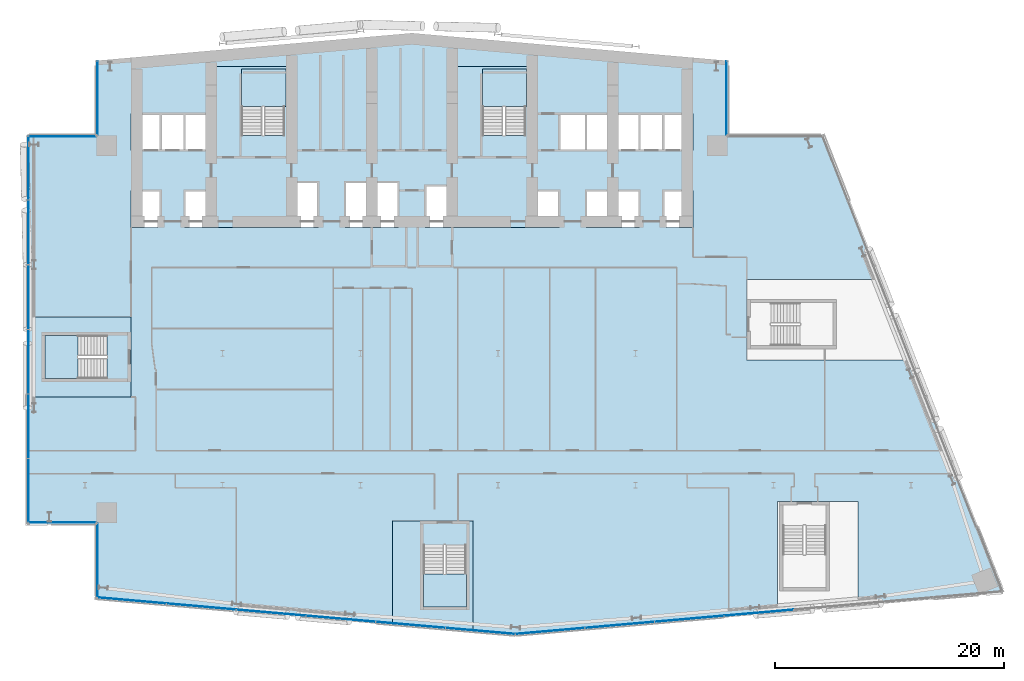
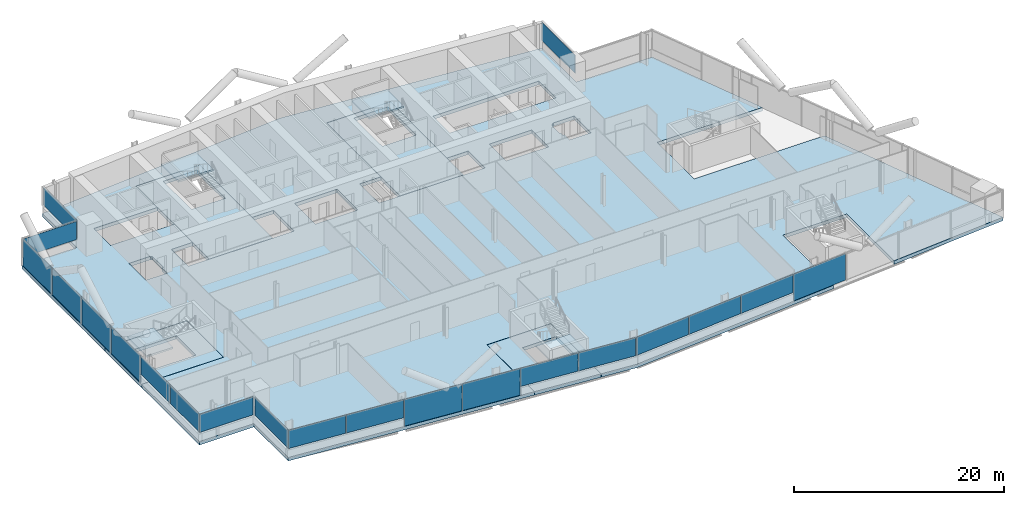
# One storey, part 12 of 27: 21 plates, 9 slabs, 12 elements without a shape of their own.
"""IFC4 building model written with IfcOpenShell, lengths in metres."""

from ifc_helpers import new_model, si_unit, direction, frame, origin, origin_2d, place, context, subcontext, project, spatial, polyline, rectangle, outline, extrude, material, layer, layer_set, type_object, element, aggregate, save


model = new_model("IFC4")

# Units and contexts
model_context = context("Model", 3, precision=1e-05, world=origin(), true_north=direction((0.0, 1.0)))
body_context = subcontext(model_context, "Body", "Model", "MODEL_VIEW")
ifc_project = project(units=[si_unit("LENGTHUNIT", "METRE"), si_unit("AREAUNIT", "SQUARE_METRE"), si_unit("VOLUMEUNIT", "CUBIC_METRE"), si_unit("PLANEANGLEUNIT", "RADIAN"), si_unit("MASSUNIT", "GRAM", prefix="KILO")], contexts=[model_context])

# Site, building, storey
site_placement = place(None, origin())
site = spatial("IfcSite", under=ifc_project, at=site_placement, CompositionType="ELEMENT")
building_placement = place(site_placement, origin())
building = spatial("IfcBuilding", under=site, at=building_placement, Name="Wharfspan Tower", CompositionType="ELEMENT")
storey_placement = place(building_placement, frame((0.0, 0.0, 139.899902)))
storey = spatial("IfcBuildingStorey", under=building, at=storey_placement, Name="L33", CompositionType="ELEMENT", Elevation=139.899902)

# Curtain wall, plates
ifc_material_1 = material(Name="Aluminium 6063-T6", Category="aluminium")
curtain_wall_type_1 = type_object("IfcCurtainWallType", Name="CURTAIN WALL FACETED FRONT", PredefinedType="NOTDEFINED", material=ifc_material_1)
curtain_wall_1_placement = place(storey_placement, origin())
curtain_wall_1 = element("IfcCurtainWall", 1, at=curtain_wall_1_placement, inside=storey, type_object=curtain_wall_type_1, Name="Curtain wall S1", PredefinedType="NOTDEFINED")
ifc_material_2 = material(Name="Glass clear low-iron double glazing", Category="glass")
ifc_layer_1 = layer(ifc_material_2, 0.040039)
ifc_layer_set_1 = layer_set([ifc_layer_1], Name="Glass clear low-iron double glazing")
plate_type_1 = type_object("IfcPlateType", Name="GLASS PANEL FACETED FRONT 40", PredefinedType="CURTAIN_PANEL", material=ifc_layer_set_1)
plate_1_placement = place(storey_placement, frame((16.061768, 1.467529, 1.0), z_axis=(0.0, 0.0, 1.0), x_axis=(0.996198, -0.087156, 0.0)))
plate_1 = element("IfcPlate", 2, at=plate_1_placement, type_object=plate_type_1, Name="Curtain wall S1 panel 1", PredefinedType="CURTAIN_PANEL", context=body_context, shape_type="SweptSolid", body=[
    extrude(rectangle(XDim=6.016602, YDim=0.040039, at=origin_2d()), origin(), (0.0, 0.0, 1.0), 2.120117),
])
plate_2_placement = place(storey_placement, frame((22.130127, 0.936523, 1.0), z_axis=(0.0, 0.0, 1.0), x_axis=(0.996198, -0.087156, 0.0)))
plate_2 = element("IfcPlate", 3, at=plate_2_placement, type_object=plate_type_1, Name="Curtain wall S1 panel 2", PredefinedType="CURTAIN_PANEL", context=body_context, shape_type="SweptSolid", body=[
    extrude(rectangle(XDim=6.046631, YDim=0.040039, at=origin_2d()), origin(), (0.0, 0.0, 1.0), 2.120117),
])
plate_3_placement = place(storey_placement, frame((40.380127, -0.660156, 1.0), z_axis=(0.0, 0.0, 1.0), x_axis=(0.996198, -0.087156, 0.0)))
plate_3 = element("IfcPlate", 4, at=plate_3_placement, type_object=plate_type_1, Name="Curtain wall S1 panel 5", PredefinedType="CURTAIN_PANEL", context=body_context, shape_type="SweptSolid", body=[
    extrude(rectangle(XDim=6.046631, YDim=0.040039, at=origin_2d()), origin(), (0.0, 0.0, 1.0), 2.120117),
])
plate_4_placement = place(storey_placement, frame((46.44873, -1.191162, 1.0), z_axis=(0.0, 0.0, 1.0), x_axis=(0.996198, -0.087156, 0.0)))
plate_4 = element("IfcPlate", 5, at=plate_4_placement, type_object=plate_type_1, Name="Curtain wall S1 panel 6", PredefinedType="CURTAIN_PANEL", context=body_context, shape_type="SweptSolid", body=[
    extrude(rectangle(XDim=6.016602, YDim=0.040039, at=origin_2d()), origin(), (0.0, 0.0, 1.0), 2.120117),
])

curtain_wall_2_placement = place(storey_placement, origin())
curtain_wall_2 = element("IfcCurtainWall", 6, at=curtain_wall_2_placement, inside=storey, type_object=curtain_wall_type_1, Name="Curtain wall S2", PredefinedType="NOTDEFINED")
plate_5_placement = place(storey_placement, frame((52.54541, -1.19165, 1.0), z_axis=(0.0, 0.0, 1.0), x_axis=(0.996198, 0.087156, 0.0)))
plate_5 = element("IfcPlate", 7, at=plate_5_placement, type_object=plate_type_1, Name="Curtain wall S2 panel 1", PredefinedType="CURTAIN_PANEL", context=body_context, shape_type="SweptSolid", body=[
    extrude(rectangle(XDim=6.004639, YDim=0.040039, at=origin_2d()), origin(), (0.0, 0.0, 1.0), 2.120117),
])
plate_6_placement = place(storey_placement, frame((58.601807, -0.661621, 1.0), z_axis=(0.0, 0.0, 1.0), x_axis=(0.996198, 0.087156, 0.0)))
plate_6 = element("IfcPlate", 8, at=plate_6_placement, type_object=plate_type_1, Name="Curtain wall S2 panel 2", PredefinedType="CURTAIN_PANEL", context=body_context, shape_type="SweptSolid", body=[
    extrude(rectangle(XDim=6.034668, YDim=0.040039, at=origin_2d()), origin(), (0.0, 0.0, 1.0), 2.120117),
])
plate_7_placement = place(storey_placement, frame((64.67334, -0.130615, 1.0), z_axis=(0.0, 0.0, 1.0), x_axis=(0.996198, 0.087156, 0.0)))
plate_7 = element("IfcPlate", 9, at=plate_7_placement, type_object=plate_type_1, Name="Curtain wall S2 panel 3", PredefinedType="CURTAIN_PANEL", context=body_context, shape_type="SweptSolid", body=[
    extrude(rectangle(XDim=6.034668, YDim=0.040039, at=origin_2d()), origin(), (0.0, 0.0, 1.0), 2.120117),
])

# Curtain wall, plate
curtain_wall_type_2 = type_object("IfcCurtainWallType", Name="CURTAIN WALL PROW AND END", PredefinedType="NOTDEFINED", material=ifc_material_1)
curtain_wall_3_placement = place(storey_placement, origin())
curtain_wall_3 = element("IfcCurtainWall", 10, at=curtain_wall_3_placement, inside=storey, type_object=curtain_wall_type_2, Name="Curtain wall NRE-V", PredefinedType="NOTDEFINED")
ifc_layer_2 = layer(ifc_material_2, 0.040039)
ifc_layer_set_2 = layer_set([ifc_layer_2], Name="Glass clear low-iron double glazing")
plate_type_2 = type_object("IfcPlateType", Name="GLASS PANEL PROW AND END 40", PredefinedType="CURTAIN_PANEL", material=ifc_layer_set_2)
plate_8_placement = place(storey_placement, frame((67.919922, 45.262451, 1.0), z_axis=(0.0, 0.0, 1.0), x_axis=(0.0, 1.0, 0.0)))
plate_8 = element("IfcPlate", 11, at=plate_8_placement, type_object=plate_type_2, Name="Curtain wall NRE-V panel 1", PredefinedType="CURTAIN_PANEL", context=body_context, shape_type="SweptSolid", body=[
    extrude(rectangle(XDim=6.405029, YDim=0.040039, at=origin_2d()), origin(), (0.0, 0.0, 1.0), 2.120117),
])
aggregate(curtain_wall_3, [plate_8])

curtain_wall_4_placement = place(storey_placement, origin())
curtain_wall_4 = element("IfcCurtainWall", 12, at=curtain_wall_4_placement, inside=storey, type_object=curtain_wall_type_2, Name="Curtain wall NRW-V", PredefinedType="NOTDEFINED")
plate_9_placement = place(storey_placement, frame((13.080078, 45.262451, 1.0), z_axis=(0.0, 0.0, 1.0), x_axis=(0.0, -1.0, 0.0)))
plate_9 = element("IfcPlate", 13, at=plate_9_placement, type_object=plate_type_2, Name="Curtain wall NRW-V panel 1", PredefinedType="CURTAIN_PANEL", context=body_context, shape_type="SweptSolid", body=[
    extrude(rectangle(XDim=6.405029, YDim=0.040039, at=origin_2d()), origin(), (0.0, 0.0, 1.0), 2.120117),
])
aggregate(curtain_wall_4, [plate_9])

curtain_wall_5_placement = place(storey_placement, origin())
curtain_wall_5 = element("IfcCurtainWall", 14, at=curtain_wall_5_placement, inside=storey, type_object=curtain_wall_type_2, Name="Curtain wall NRW-H", PredefinedType="NOTDEFINED")
plate_10_placement = place(storey_placement, frame((10.0, 41.919922, 1.0), z_axis=(0.0, 0.0, 1.0), x_axis=(-1.0, 0.0, 0.0)))
plate_10 = element("IfcPlate", 15, at=plate_10_placement, type_object=plate_type_2, Name="Curtain wall NRW-H panel 1", PredefinedType="CURTAIN_PANEL", context=body_context, shape_type="SweptSolid", body=[
    extrude(rectangle(XDim=5.879883, YDim=0.040039, at=origin_2d()), origin(), (0.0, 0.0, 1.0), 2.120117),
])
aggregate(curtain_wall_5, [plate_10])

# Curtain wall, plates
curtain_wall_6_placement = place(storey_placement, origin())
curtain_wall_6 = element("IfcCurtainWall", 16, at=curtain_wall_6_placement, inside=storey, type_object=curtain_wall_type_2, Name="Curtain wall W", PredefinedType="NOTDEFINED")
plate_11_placement = place(storey_placement, frame((7.080078, 16.649902, 1.0), z_axis=(0.0, 0.0, 1.0), x_axis=(0.0, -1.0, 0.0)))
plate_11 = element("IfcPlate", 17, at=plate_11_placement, type_object=plate_type_2, Name="Curtain wall W panel 5", PredefinedType="CURTAIN_PANEL", context=body_context, shape_type="SweptSolid", body=[
    extrude(rectangle(XDim=5.573242, YDim=0.040039, at=origin_2d()), origin(), (0.0, 0.0, 1.0), 2.120117),
])
plate_12_placement = place(storey_placement, frame((7.080078, 11.031738, 1.0), z_axis=(0.0, 0.0, 1.0), x_axis=(0.0, -1.0, 0.0)))
plate_12 = element("IfcPlate", 18, at=plate_12_placement, type_object=plate_type_2, Name="Curtain wall W panel 6", PredefinedType="CURTAIN_PANEL", context=body_context, shape_type="SweptSolid", body=[
    extrude(rectangle(XDim=5.543213, YDim=0.040039, at=origin_2d()), origin(), (0.0, 0.0, 1.0), 2.120117),
])

# Curtain wall, plate
curtain_wall_7_placement = place(storey_placement, origin())
curtain_wall_7 = element("IfcCurtainWall", 19, at=curtain_wall_7_placement, inside=storey, type_object=curtain_wall_type_2, Name="Curtain wall NFW-H", PredefinedType="NOTDEFINED")
plate_13_placement = place(storey_placement, frame((10.0, 8.280029, 1.0), z_axis=(0.0, 0.0, 1.0), x_axis=(1.0, 0.0, 0.0)))
plate_13 = element("IfcPlate", 20, at=plate_13_placement, type_object=plate_type_2, Name="Curtain wall NFW-H panel 1", PredefinedType="CURTAIN_PANEL", context=body_context, shape_type="SweptSolid", body=[
    extrude(rectangle(XDim=5.879883, YDim=0.040039, at=origin_2d()), origin(), (0.0, 0.0, 1.0), 2.120117),
])
aggregate(curtain_wall_7, [plate_13])

curtain_wall_8_placement = place(storey_placement, origin())
curtain_wall_8 = element("IfcCurtainWall", 21, at=curtain_wall_8_placement, inside=storey, type_object=curtain_wall_type_2, Name="Curtain wall NFW-V", PredefinedType="NOTDEFINED")
plate_14_placement = place(storey_placement, frame((13.080078, 4.9375, 1.0), z_axis=(0.0, 0.0, 1.0), x_axis=(0.0, -1.0, 0.0)))
plate_14 = element("IfcPlate", 22, at=plate_14_placement, type_object=plate_type_2, Name="Curtain wall NFW-V panel 1", PredefinedType="CURTAIN_PANEL", context=body_context, shape_type="SweptSolid", body=[
    extrude(rectangle(XDim=6.405029, YDim=0.040039, at=origin_2d()), origin(), (0.0, 0.0, 1.0), 2.120117),
])
aggregate(curtain_wall_8, [plate_14])

# Plate
ifc_material_3 = material(Name="Aluminium composite opaque insulated panel", Category="aluminium")
ifc_layer_3 = layer(ifc_material_3, 0.040039)
ifc_layer_set_3 = layer_set([ifc_layer_3], Name="Aluminium composite opaque insulated panel")
plate_type_3 = type_object("IfcPlateType", Name="INFILL PANEL FACETED FRONT OPAQUE 40", PredefinedType="SHEET", material=ifc_layer_set_3)
plate_15_placement = place(storey_placement, frame((28.213623, 0.404297, 0.0), z_axis=(0.0, 0.0, 1.0), x_axis=(0.996198, -0.087156, 0.0)))
plate_15 = element("IfcPlate", 23, at=plate_15_placement, type_object=plate_type_3, Name="Curtain wall S1 panel 3", PredefinedType="SHEET", context=body_context, shape_type="SweptSolid", body=[
    extrude(rectangle(XDim=6.046631, YDim=0.040039, at=origin_2d()), origin(), (0.0, 0.0, 1.0), 3.120117),
])

plate_16_placement = place(storey_placement, frame((34.296875, -0.12793, 0.0), z_axis=(0.0, 0.0, 1.0), x_axis=(0.996198, -0.087156, 0.0)))
plate_16 = element("IfcPlate", 24, at=plate_16_placement, type_object=plate_type_3, Name="Curtain wall S1 panel 4", PredefinedType="SHEET", context=body_context, shape_type="SweptSolid", body=[
    extrude(rectangle(XDim=6.046631, YDim=0.040039, at=origin_2d()), origin(), (0.0, 0.0, 1.0), 3.120117),
])

aggregate(curtain_wall_1, [plate_1, plate_2, plate_15, plate_16, plate_3, plate_4])

plate_17_placement = place(storey_placement, frame((70.744873, 0.400635, 0.0), z_axis=(0.0, 0.0, 1.0), x_axis=(0.996198, 0.087156, 0.0)))
plate_17 = element("IfcPlate", 25, at=plate_17_placement, type_object=plate_type_3, Name="Curtain wall S2 panel 4", PredefinedType="SHEET", context=body_context, shape_type="SweptSolid", body=[
    extrude(rectangle(XDim=6.034668, YDim=0.040039, at=origin_2d()), origin(), (0.0, 0.0, 1.0), 3.120117),
])

aggregate(curtain_wall_2, [plate_5, plate_6, plate_7, plate_17])

ifc_layer_4 = layer(ifc_material_3, 0.040039)
ifc_layer_set_4 = layer_set([ifc_layer_4], Name="Aluminium composite opaque insulated panel")
plate_type_4 = type_object("IfcPlateType", Name="INFILL PANEL PROW AND END OPAQUE 40", PredefinedType="SHEET", material=ifc_layer_set_4)
plate_18_placement = place(storey_placement, frame((7.080078, 39.168213, 0.0), z_axis=(0.0, 0.0, 1.0), x_axis=(0.0, -1.0, 0.0)))
plate_18 = element("IfcPlate", 26, at=plate_18_placement, type_object=plate_type_4, Name="Curtain wall W panel 1", PredefinedType="SHEET", context=body_context, shape_type="SweptSolid", body=[
    extrude(rectangle(XDim=5.543213, YDim=0.040039, at=origin_2d()), origin(), (0.0, 0.0, 1.0), 3.120117),
])

plate_19_placement = place(storey_placement, frame((7.080078, 33.550049, 0.0), z_axis=(0.0, 0.0, 1.0), x_axis=(0.0, -1.0, 0.0)))
plate_19 = element("IfcPlate", 27, at=plate_19_placement, type_object=plate_type_4, Name="Curtain wall W panel 2", PredefinedType="SHEET", context=body_context, shape_type="SweptSolid", body=[
    extrude(rectangle(XDim=5.573242, YDim=0.040039, at=origin_2d()), origin(), (0.0, 0.0, 1.0), 3.120117),
])

plate_20_placement = place(storey_placement, frame((7.080078, 27.916748, 0.0), z_axis=(0.0, 0.0, 1.0), x_axis=(0.0, -1.0, 0.0)))
plate_20 = element("IfcPlate", 28, at=plate_20_placement, type_object=plate_type_4, Name="Curtain wall W panel 3", PredefinedType="SHEET", context=body_context, shape_type="SweptSolid", body=[
    extrude(rectangle(XDim=5.573242, YDim=0.040039, at=origin_2d()), origin(), (0.0, 0.0, 1.0), 3.120117),
])

plate_21_placement = place(storey_placement, frame((7.080078, 22.283447, 0.0), z_axis=(0.0, 0.0, 1.0), x_axis=(0.0, -1.0, 0.0)))
plate_21 = element("IfcPlate", 29, at=plate_21_placement, type_object=plate_type_4, Name="Curtain wall W panel 4", PredefinedType="SHEET", context=body_context, shape_type="SweptSolid", body=[
    extrude(rectangle(XDim=5.573242, YDim=0.040039, at=origin_2d()), origin(), (0.0, 0.0, 1.0), 3.120117),
])

aggregate(curtain_wall_6, [plate_18, plate_19, plate_20, plate_21, plate_11, plate_12])

# Slabs
ifc_material_4 = material(Name="Concrete C40/50", Category="concrete")
ifc_layer_5 = layer(ifc_material_4, 0.399902)
ifc_layer_set_5 = layer_set([ifc_layer_5], Name="Concrete C40/50")
slab_type_1 = type_object("IfcSlabType", Name="Post-tensioned flat slab 400", PredefinedType="FLOOR", material=ifc_layer_set_5)
slab_1_placement = place(storey_placement, frame((0.0, 0.0, -0.400146)))
element("IfcSlab", 30, at=slab_1_placement, inside=storey, type_object=slab_type_1, Name="Floor slab L33", PredefinedType="FLOOR", context=body_context, shape_type="SweptSolid", body=[
    extrude(outline(polyline([(38.800293, -0.582275), (38.800293, 8.427002), (45.820312, 8.427002), (45.820312, -1.196289), (49.5, -1.518311), (72.355957, 0.481445), (72.355957, 10.104736), (79.375977, 10.104736), (79.375977, 1.095459), (92.0, 2.199951), (84.04541, 22.439941), (69.68042, 22.439941), (69.68042, 29.459961), (81.286621, 29.459961), (76.358154, 42.0), (68.0, 42.0), (68.0, 48.524902), (40.5, 50.930908), (13.0, 48.524902), (13.0, 42.0), (7.0, 42.0), (7.0, 26.209961), (16.01001, 26.209961), (16.01001, 19.189941), (7.0, 19.189941), (7.0, 8.199951), (13.0, 8.199951), (13.0, 1.675049), (38.800293, -0.582275)]), holes=[polyline([(62.48999, 35.389893), (62.36499, 35.389893), (62.36499, 36.909912), (62.48999, 36.909912), (62.48999, 37.110107), (62.656738, 37.110107), (62.656738, 37.209961), (65.01001, 37.209961), (65.01001, 33.98999), (62.656738, 33.98999), (62.656738, 34.98999), (62.48999, 34.98999), (62.48999, 35.389893)]), polyline([(65.01001, 43.909912), (65.01001, 40.689941), (53.323242, 40.689941), (53.323242, 43.909912), (65.01001, 43.909912)]), polyline([(55.656738, 33.98999), (55.656738, 37.209961), (60.343262, 37.209961), (60.343262, 33.98999), (55.656738, 33.98999)]), polyline([(43.98999, 37.659912), (43.98999, 48.01001), (51.01001, 48.01001), (51.01001, 37.209961), (53.343262, 37.209961), (53.343262, 33.98999), (41.656738, 33.98999), (41.656738, 37.659912), (43.98999, 37.659912)]), polyline([(34.656738, 33.98999), (34.656738, 37.959961), (39.343262, 37.959961), (39.343262, 33.98999), (34.656738, 33.98999)]), polyline([(20.656738, 37.209961), (22.98999, 37.209961), (22.98999, 40.689941), (20.676758, 40.689941), (20.656738, 40.689941), (15.98999, 40.689941), (15.98999, 43.909912), (20.656738, 43.909912), (20.676758, 43.909912), (22.98999, 43.909912), (22.98999, 48.01001), (30.01001, 48.01001), (30.01001, 37.959961), (32.343262, 37.959961), (32.343262, 33.98999), (20.656738, 33.98999), (20.656738, 37.209961)]), polyline([(18.51001, 34.98999), (18.343262, 34.98999), (18.343262, 33.98999), (15.98999, 33.98999), (15.98999, 37.209961), (18.343262, 37.209961), (18.343262, 37.110107), (18.51001, 37.110107), (18.51001, 34.98999)])]), origin(), (0.0, 0.0, 1.0), 0.400146),
])
slab_2_placement = place(storey_placement, frame((0.0, 0.0, -0.400146)))
element("IfcSlab", 31, at=slab_2_placement, inside=storey, type_object=slab_type_1, Name="Core floor slab L33 part 1", PredefinedType="FLOOR", context=body_context, shape_type="SweptSolid", body=[
    extrude(outline(polyline([(16.0, 20.524902), (16.0, 24.875), (16.0, 26.199951), (7.0, 26.199951), (7.0, 19.199951), (16.0, 19.199951), (16.0, 20.524902)]), holes=[polyline([(13.9021, 20.824951), (13.9021, 20.824707), (13.9021, 20.824707), (13.901855, 20.824463), (13.901855, 20.824219), (13.901855, 20.824219), (13.901611, 20.823975), (13.901611, 20.82373), (13.901367, 20.823486), (13.901367, 20.823486), (13.901123, 20.823242), (13.900879, 20.823242), (13.900879, 20.823242), (13.900635, 20.822998), (13.900391, 20.822998), (13.900146, 20.822998), (13.899902, 20.822998), (8.5, 20.822998), (8.499756, 20.822998), (8.499512, 20.822998), (8.499512, 20.822998), (8.499268, 20.823242), (8.499023, 20.823242), (8.498779, 20.823242), (8.498779, 20.823486), (8.498535, 20.823486), (8.498535, 20.82373), (8.498291, 20.823975), (8.498291, 20.824219), (8.498291, 20.824219), (8.498047, 20.824463), (8.498047, 20.824707), (8.498047, 20.824707), (8.498047, 20.824951), (8.498047, 24.574951), (8.498047, 24.575195), (8.498047, 24.575439), (8.498047, 24.575684), (8.498291, 24.575684), (8.498291, 24.575928), (8.498291, 24.576172), (8.498535, 24.576416), (8.498535, 24.576416), (8.498779, 24.576416), (8.498779, 24.57666), (8.499023, 24.576904), (8.499268, 24.576904), (8.499512, 24.576904), (8.499512, 24.576904), (8.499756, 24.576904), (8.5, 24.576904), (13.899902, 24.576904), (13.900146, 24.576904), (13.900391, 24.576904), (13.900635, 24.576904), (13.900879, 24.576904), (13.900879, 24.576904), (13.901123, 24.57666), (13.901367, 24.576416), (13.901367, 24.576416), (13.901611, 24.576416), (13.901611, 24.576172), (13.901855, 24.575928), (13.901855, 24.575684), (13.901855, 24.575684), (13.9021, 24.575439), (13.9021, 24.575195), (13.9021, 24.574951), (13.9021, 20.824951)])]), origin(), (0.0, 0.0, 1.0), 0.400146),
])
slab_3_placement = place(storey_placement, frame((0.0, 0.0, -0.400146)))
element("IfcSlab", 32, at=slab_3_placement, inside=storey, type_object=slab_type_1, Name="Core floor slab L33 part 2", PredefinedType="FLOOR", context=body_context, shape_type="SweptSolid", body=[
    extrude(outline(polyline([(20.664795, 34.0), (20.664795, 37.199951), (20.664795, 37.200195), (20.664795, 37.200439), (20.664795, 37.200684), (20.664795, 37.200684), (20.664795, 37.200928), (20.665039, 37.201172), (20.665039, 37.201416), (20.665283, 37.201416), (20.665283, 37.201416), (20.665527, 37.20166), (20.665771, 37.201904), (20.666016, 37.201904), (20.666016, 37.201904), (20.66626, 37.201904), (20.666504, 37.201904), (20.666748, 37.201904), (23.0, 37.201904), (23.000244, 37.201904), (23.000488, 37.201904), (23.000488, 37.201904), (23.000732, 37.201904), (23.000977, 37.201904), (23.001221, 37.20166), (23.001221, 37.201416), (23.001465, 37.201416), (23.001465, 37.201416), (23.001709, 37.201172), (23.001709, 37.200928), (23.001709, 37.200684), (23.001953, 37.200684), (23.001953, 37.200439), (23.001953, 37.200195), (23.001953, 37.199951), (23.001953, 34.0), (29.998047, 34.0), (29.998047, 37.949951), (29.998047, 37.950195), (29.998047, 37.950439), (29.998047, 37.950684), (29.998291, 37.950684), (29.998291, 37.950928), (29.998291, 37.951172), (29.998535, 37.951416), (29.998535, 37.951416), (29.998779, 37.951416), (29.998779, 37.95166), (29.999023, 37.951904), (29.999268, 37.951904), (29.999512, 37.951904), (29.999512, 37.951904), (29.999756, 37.951904), (30.0, 37.951904), (32.333252, 37.951904), (32.333496, 37.951904), (32.33374, 37.951904), (32.333984, 37.951904), (32.333984, 37.951904), (32.334229, 37.951904), (32.334473, 37.95166), (32.334717, 37.951416), (32.334717, 37.951416), (32.334961, 37.951416), (32.334961, 37.951172), (32.335205, 37.950928), (32.335205, 37.950684), (32.335205, 37.950684), (32.335205, 37.950439), (32.335205, 37.950195), (32.335205, 37.949951), (32.335205, 34.0), (32.341309, 34.0), (32.341309, 37.958008), (30.01001, 37.958008), (30.009766, 37.958008), (30.009521, 37.958008), (30.009521, 37.958008), (30.009277, 37.958252), (30.009033, 37.958252), (30.008789, 37.958252), (30.008789, 37.958496), (30.008545, 37.958496), (30.008545, 37.95874), (30.008301, 37.958984), (30.008301, 37.958984), (30.008301, 37.959229), (30.008057, 37.959473), (30.008057, 37.959717), (30.008057, 37.959717), (30.008057, 37.959961), (30.008057, 48.008057), (22.991943, 48.008057), (22.991943, 43.909912), (22.991943, 43.909912), (22.991943, 43.909668), (22.991943, 43.909424), (22.991699, 43.90918), (22.991699, 43.90918), (22.991699, 43.908936), (22.991455, 43.908691), (22.991455, 43.908691), (22.991211, 43.908447), (22.991211, 43.908203), (22.990967, 43.908203), (22.990723, 43.908203), (22.990479, 43.908203), (22.990479, 43.907959), (22.990234, 43.907959), (22.98999, 43.907959), (16.0, 43.907959), (16.0, 43.9021), (20.666748, 43.9021), (20.666748, 43.9021), (23.0, 43.9021), (23.000244, 43.9021), (23.000488, 43.9021), (23.000488, 43.901855), (23.000732, 43.901855), (23.000977, 43.901855), (23.001221, 43.901611), (23.001221, 43.901611), (23.001465, 43.901367), (23.001465, 43.901367), (23.001709, 43.901123), (23.001709, 43.900879), (23.001709, 43.900879), (23.001953, 43.900635), (23.001953, 43.900391), (23.001953, 43.900146), (23.001953, 43.899902), (23.001953, 40.699951), (23.001953, 40.699707), (23.001953, 40.699707), (23.001953, 40.699463), (23.001709, 40.699219), (23.001709, 40.699219), (23.001709, 40.698975), (23.001465, 40.69873), (23.001465, 40.698486), (23.001221, 40.698486), (23.001221, 40.698242), (23.000977, 40.698242), (23.000732, 40.698242), (23.000488, 40.697998), (23.000488, 40.697998), (23.000244, 40.697998), (23.0, 40.697998), (20.666748, 40.697998), (20.666748, 40.697998), (16.0, 40.697998), (16.0, 40.691895), (22.98999, 40.691895), (22.990234, 40.691895), (22.990479, 40.691895), (22.990479, 40.691895), (22.990723, 40.691895), (22.990967, 40.691895), (22.991211, 40.69165), (22.991211, 40.691406), (22.991455, 40.691406), (22.991455, 40.691406), (22.991699, 40.691162), (22.991699, 40.690918), (22.991699, 40.690918), (22.991943, 40.690674), (22.991943, 40.69043), (22.991943, 40.690186), (22.991943, 40.689941), (22.991943, 37.209961), (22.991943, 37.209717), (22.991943, 37.209717), (22.991943, 37.209473), (22.991699, 37.209229), (22.991699, 37.208984), (22.991699, 37.208984), (22.991455, 37.20874), (22.991455, 37.208496), (22.991211, 37.208496), (22.991211, 37.208252), (22.990967, 37.208252), (22.990723, 37.208252), (22.990479, 37.208008), (22.990479, 37.208008), (22.990234, 37.208008), (22.98999, 37.208008), (20.658691, 37.208008), (20.658691, 34.0), (20.664795, 34.0)]), holes=[polyline([(25.649902, 41.998047), (25.649902, 41.998047), (25.649658, 41.998047), (25.649414, 41.998047), (25.64917, 41.998291), (25.64917, 41.998291), (25.648926, 41.998291), (25.648682, 41.998535), (25.648682, 41.998535), (25.648438, 41.998779), (25.648193, 41.998779), (25.648193, 41.999023), (25.648193, 41.999268), (25.648193, 41.999512), (25.647949, 41.999512), (25.647949, 41.999756), (25.647949, 42.0), (25.647949, 47.399902), (25.647949, 47.400146), (25.647949, 47.400391), (25.648193, 47.400635), (25.648193, 47.400879), (25.648193, 47.400879), (25.648193, 47.401123), (25.648438, 47.401367), (25.648682, 47.401367), (25.648682, 47.401611), (25.648926, 47.401611), (25.64917, 47.401855), (25.64917, 47.401855), (25.649414, 47.401855), (25.649658, 47.4021), (25.649902, 47.4021), (25.649902, 47.4021), (29.399902, 47.4021), (29.400146, 47.4021), (29.400391, 47.4021), (29.400635, 47.401855), (29.400879, 47.401855), (29.400879, 47.401855), (29.401123, 47.401611), (29.401367, 47.401611), (29.401367, 47.401367), (29.401611, 47.401367), (29.401611, 47.401123), (29.401855, 47.400879), (29.401855, 47.400879), (29.401855, 47.400635), (29.4021, 47.400391), (29.4021, 47.400146), (29.4021, 47.399902), (29.4021, 42.0), (29.4021, 41.999756), (29.4021, 41.999512), (29.401855, 41.999512), (29.401855, 41.999268), (29.401855, 41.999023), (29.401611, 41.998779), (29.401611, 41.998779), (29.401367, 41.998535), (29.401367, 41.998535), (29.401123, 41.998291), (29.400879, 41.998291), (29.400879, 41.998291), (29.400635, 41.998047), (29.400391, 41.998047), (29.400146, 41.998047), (29.399902, 41.998047), (25.649902, 41.998047)])]), origin(), (0.0, 0.0, 1.0), 0.400146),
])
slab_4_placement = place(storey_placement, frame((0.0, 0.0, -0.400146)))
element("IfcSlab", 33, at=slab_4_placement, inside=storey, type_object=slab_type_1, Name="Core floor slab L33 part 3", PredefinedType="FLOOR", context=body_context, shape_type="SweptSolid", body=[
    extrude(outline(polyline([(45.5354, 8.416992), (41.185303, 8.416992), (38.810303, 8.416992), (38.810303, -0.583008), (45.810303, -1.195557), (45.810303, 8.416992), (45.5354, 8.416992)]), holes=[polyline([(41.483398, 6.316895), (41.483398, 6.317139), (41.483398, 6.317383), (41.483398, 6.317383), (41.483398, 6.317627), (41.483398, 6.317871), (41.483643, 6.318115), (41.483643, 6.318115), (41.483887, 6.318359), (41.483887, 6.318604), (41.484131, 6.318604), (41.484375, 6.318604), (41.484619, 6.318848), (41.484619, 6.318848), (41.484863, 6.318848), (41.485107, 6.319092), (41.485352, 6.319092), (45.235352, 6.319092), (45.235596, 6.319092), (45.235596, 6.318848), (45.23584, 6.318848), (45.236084, 6.318848), (45.236084, 6.318604), (45.236328, 6.318604), (45.236572, 6.318604), (45.236816, 6.318359), (45.236816, 6.318115), (45.236816, 6.318115), (45.237061, 6.317871), (45.237061, 6.317627), (45.237305, 6.317383), (45.237305, 6.317383), (45.237305, 6.317139), (45.237305, 6.316895), (45.237305, 0.916992), (45.237305, 0.916748), (45.237305, 0.916504), (45.237305, 0.916504), (45.237061, 0.91626), (45.237061, 0.916016), (45.236816, 0.916016), (45.236816, 0.915771), (45.236816, 0.915527), (45.236572, 0.915283), (45.236328, 0.915283), (45.236084, 0.915283), (45.236084, 0.915039), (45.23584, 0.915039), (45.235596, 0.915039), (45.235596, 0.915039), (45.235352, 0.915039), (41.485352, 0.915039), (41.485107, 0.915039), (41.484863, 0.915039), (41.484619, 0.915039), (41.484619, 0.915039), (41.484375, 0.915283), (41.484131, 0.915283), (41.483887, 0.915283), (41.483887, 0.915527), (41.483643, 0.915771), (41.483643, 0.916016), (41.483398, 0.916016), (41.483398, 0.91626), (41.483398, 0.916504), (41.483398, 0.916504), (41.483398, 0.916748), (41.483398, 0.916992), (41.483398, 6.316895)])]), origin(), (0.0, 0.0, 1.0), 0.400146),
])
slab_5_placement = place(storey_placement, frame((0.0, 0.0, -0.400146)))
element("IfcSlab", 34, at=slab_5_placement, inside=storey, type_object=slab_type_1, Name="Core floor slab L33 part 4", PredefinedType="FLOOR", context=body_context, shape_type="SweptSolid", body=[
    extrude(outline(polyline([(53.341309, 34.0), (53.341309, 37.208008), (51.01001, 37.208008), (51.009766, 37.208008), (51.009521, 37.208008), (51.009521, 37.208008), (51.009277, 37.208252), (51.009033, 37.208252), (51.008789, 37.208252), (51.008789, 37.208496), (51.008545, 37.208496), (51.008545, 37.20874), (51.008301, 37.208984), (51.008301, 37.208984), (51.008301, 37.209229), (51.008057, 37.209473), (51.008057, 37.209717), (51.008057, 37.209717), (51.008057, 37.209961), (51.008057, 48.008057), (43.991943, 48.008057), (43.991943, 37.659912), (43.991943, 37.659912), (43.991943, 37.659668), (43.991943, 37.659424), (43.991699, 37.65918), (43.991699, 37.65918), (43.991699, 37.658936), (43.991455, 37.658691), (43.991455, 37.658691), (43.991211, 37.658447), (43.991211, 37.658203), (43.990967, 37.658203), (43.990723, 37.658203), (43.990479, 37.658203), (43.990479, 37.657959), (43.990234, 37.657959), (43.98999, 37.657959), (41.658691, 37.657959), (41.658691, 34.0), (41.664795, 34.0), (41.664795, 37.649902), (41.664795, 37.650146), (41.664795, 37.650391), (41.664795, 37.650635), (41.664795, 37.650879), (41.664795, 37.650879), (41.665039, 37.651123), (41.665039, 37.651367), (41.665283, 37.651367), (41.665283, 37.651611), (41.665527, 37.651611), (41.665771, 37.651855), (41.666016, 37.651855), (41.666016, 37.651855), (41.66626, 37.6521), (41.666504, 37.6521), (41.666748, 37.6521), (44.0, 37.6521), (44.000244, 37.6521), (44.000488, 37.6521), (44.000488, 37.651855), (44.000732, 37.651855), (44.000977, 37.651855), (44.001221, 37.651611), (44.001221, 37.651611), (44.001465, 37.651367), (44.001465, 37.651367), (44.001709, 37.651123), (44.001709, 37.650879), (44.001709, 37.650879), (44.001953, 37.650635), (44.001953, 37.650391), (44.001953, 37.650146), (44.001953, 37.649902), (44.001953, 34.0), (50.998047, 34.0), (50.998047, 37.199951), (50.998047, 37.200195), (50.998047, 37.200439), (50.998047, 37.200684), (50.998291, 37.200684), (50.998291, 37.200928), (50.998291, 37.201172), (50.998535, 37.201416), (50.998535, 37.201416), (50.998779, 37.201416), (50.998779, 37.20166), (50.999023, 37.201904), (50.999268, 37.201904), (50.999512, 37.201904), (50.999512, 37.201904), (50.999756, 37.201904), (51.0, 37.201904), (53.333252, 37.201904), (53.333496, 37.201904), (53.33374, 37.201904), (53.333984, 37.201904), (53.333984, 37.201904), (53.334229, 37.201904), (53.334473, 37.20166), (53.334717, 37.201416), (53.334717, 37.201416), (53.334961, 37.201416), (53.334961, 37.201172), (53.335205, 37.200928), (53.335205, 37.200684), (53.335205, 37.200684), (53.335205, 37.200439), (53.335205, 37.200195), (53.335205, 37.199951), (53.335205, 34.0), (53.341309, 34.0)]), holes=[polyline([(50.4021, 42.0), (50.4021, 41.999756), (50.4021, 41.999512), (50.401855, 41.999512), (50.401855, 41.999268), (50.401855, 41.999023), (50.401611, 41.998779), (50.401611, 41.998779), (50.401367, 41.998535), (50.401367, 41.998535), (50.401123, 41.998291), (50.400879, 41.998291), (50.400879, 41.998291), (50.400635, 41.998047), (50.400391, 41.998047), (50.400146, 41.998047), (50.399902, 41.998047), (46.649902, 41.998047), (46.649902, 41.998047), (46.649658, 41.998047), (46.649414, 41.998047), (46.64917, 41.998291), (46.64917, 41.998291), (46.648926, 41.998291), (46.648682, 41.998535), (46.648682, 41.998535), (46.648438, 41.998779), (46.648193, 41.998779), (46.648193, 41.999023), (46.648193, 41.999268), (46.648193, 41.999512), (46.647949, 41.999512), (46.647949, 41.999756), (46.647949, 42.0), (46.647949, 47.399902), (46.647949, 47.400146), (46.647949, 47.400391), (46.648193, 47.400635), (46.648193, 47.400879), (46.648193, 47.400879), (46.648193, 47.401123), (46.648438, 47.401367), (46.648682, 47.401367), (46.648682, 47.401611), (46.648926, 47.401611), (46.64917, 47.401855), (46.64917, 47.401855), (46.649414, 47.401855), (46.649658, 47.4021), (46.649902, 47.4021), (46.649902, 47.4021), (50.399902, 47.4021), (50.400146, 47.4021), (50.400391, 47.4021), (50.400635, 47.401855), (50.400879, 47.401855), (50.400879, 47.401855), (50.401123, 47.401611), (50.401367, 47.401611), (50.401367, 47.401367), (50.401611, 47.401367), (50.401611, 47.401123), (50.401855, 47.400879), (50.401855, 47.400879), (50.401855, 47.400635), (50.4021, 47.400391), (50.4021, 47.400146), (50.4021, 47.399902), (50.4021, 42.0)])]), origin(), (0.0, 0.0, 1.0), 0.400146),
])

# Stair, slab
stair_type = type_object("IfcStairType", Name="Half-turn stair 20 risers 180 mm", PredefinedType="HALF_TURN_STAIR", material=ifc_material_4)
stair_1_placement = place(storey_placement, origin())
stair_1 = element("IfcStair", 35, at=stair_1_placement, inside=storey, type_object=stair_type, Name="L33 stair ST1", PredefinedType="HALF_TURN_STAIR")
ifc_layer_6 = layer(ifc_material_4, 0.199951)
ifc_layer_set_6 = layer_set([ifc_layer_6], Name="Concrete C40/50")
slab_type_2 = type_object("IfcSlabType", Name="Stair landing 200", PredefinedType="LANDING", material=ifc_layer_set_6)
slab_6_placement = place(storey_placement, frame((0.0, 0.0, 1.599854)))
slab_6 = element("IfcSlab", 36, at=slab_6_placement, type_object=slab_type_2, Name="ST1 landing 1", PredefinedType="LANDING", context=body_context, shape_type="SweptSolid", body=[
    extrude(outline(polyline([(25.649902, 44.52002), (29.5, 44.52002), (29.5, 47.783691), (25.649902, 47.783691), (25.649902, 44.52002)])), origin(), (0.0, 0.0, 1.0), 0.200195),
])
aggregate(stair_1, [slab_6])

stair_2_placement = place(storey_placement, origin())
stair_2 = element("IfcStair", 37, at=stair_2_placement, inside=storey, type_object=stair_type, Name="L33 stair ST2", PredefinedType="HALF_TURN_STAIR")
slab_7_placement = place(storey_placement, frame((0.0, 0.0, 1.599854)))
slab_7 = element("IfcSlab", 38, at=slab_7_placement, type_object=slab_type_2, Name="ST2 landing 1", PredefinedType="LANDING", context=body_context, shape_type="SweptSolid", body=[
    extrude(outline(polyline([(46.649902, 44.52002), (50.5, 44.52002), (50.5, 47.783691), (46.649902, 47.783691), (46.649902, 44.52002)])), origin(), (0.0, 0.0, 1.0), 0.200195),
])
aggregate(stair_2, [slab_7])

stair_3_placement = place(storey_placement, origin())
stair_3 = element("IfcStair", 39, at=stair_3_placement, inside=storey, type_object=stair_type, Name="L33 stair ST3", PredefinedType="HALF_TURN_STAIR")
slab_8_placement = place(storey_placement, frame((0.0, 0.0, 1.599854)))
slab_8 = element("IfcSlab", 40, at=slab_8_placement, type_object=slab_type_2, Name="ST3 landing 1", PredefinedType="LANDING", context=body_context, shape_type="SweptSolid", body=[
    extrude(outline(polyline([(11.379883, 24.574951), (8.5, 24.574951), (8.5, 20.824951), (11.379883, 20.824951), (11.379883, 24.574951)])), origin(), (0.0, 0.0, 1.0), 0.200195),
])
aggregate(stair_3, [slab_8])

stair_4_placement = place(storey_placement, origin())
stair_4 = element("IfcStair", 41, at=stair_4_placement, inside=storey, type_object=stair_type, Name="L33 stair ST4", PredefinedType="HALF_TURN_STAIR")
slab_9_placement = place(storey_placement, frame((0.0, 0.0, 1.599854)))
slab_9 = element("IfcSlab", 42, at=slab_9_placement, type_object=slab_type_2, Name="ST4 landing 1", PredefinedType="LANDING", context=body_context, shape_type="SweptSolid", body=[
    extrude(outline(polyline([(41.485352, 3.796875), (41.485352, 0.916992), (45.235352, 0.916992), (45.235352, 3.796875), (41.485352, 3.796875)])), origin(), (0.0, 0.0, 1.0), 0.200195),
])
aggregate(stair_4, [slab_9])

save(model, "model.ifc")
